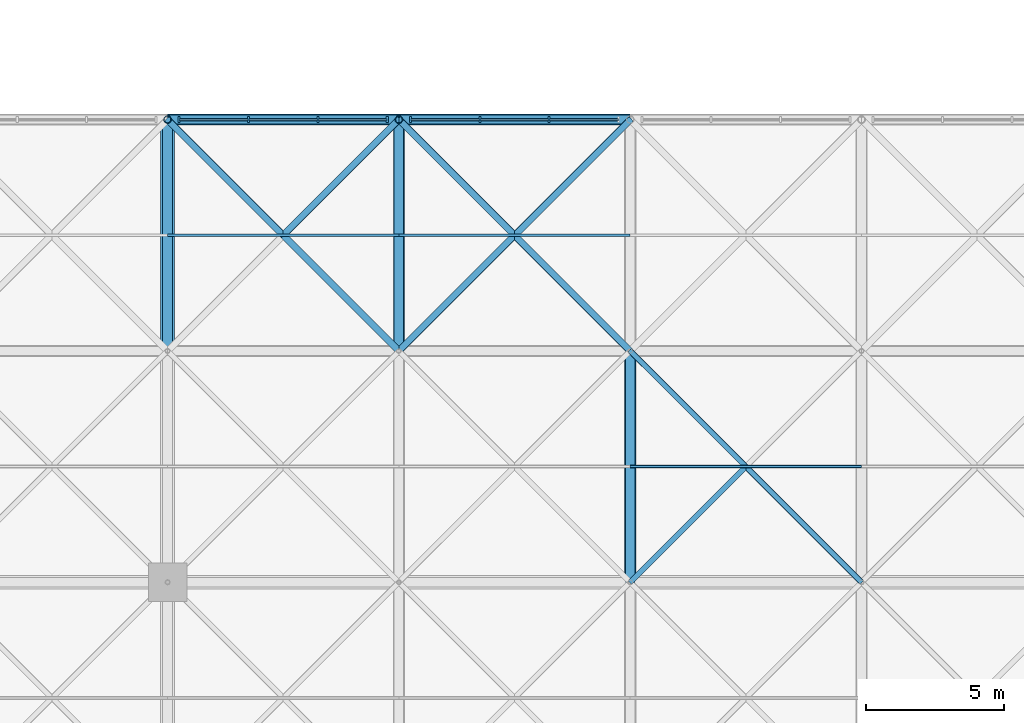
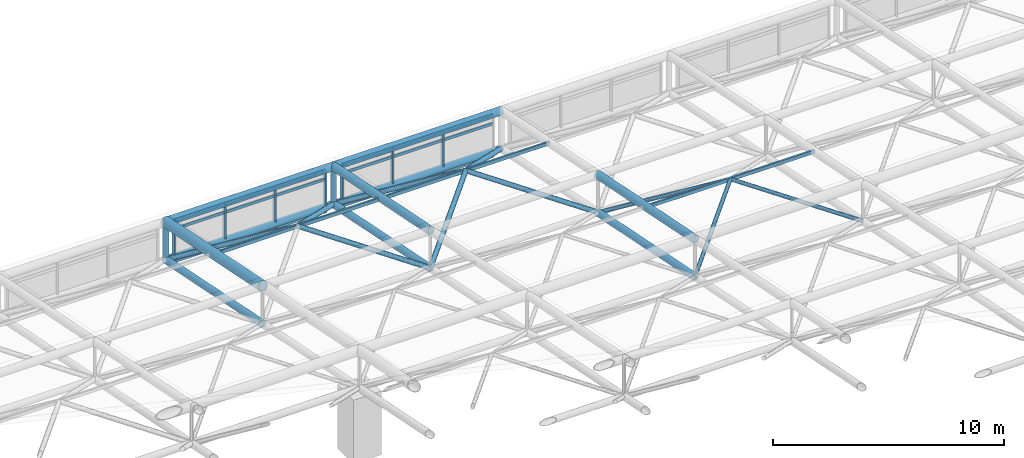
# One storey, part 55 of 110: 50 members, 2 elements without a shape of their own.
"""IFC4 building model written with IfcOpenShell, lengths in metres."""

from ifc_helpers import new_model, si_unit, direction, frame, origin, origin_2d, place, context, subcontext, project, spatial, rectangle, hollow_rectangle, hollow_circle, extrude, material, layer, layer_set, material_profile, profile_set, type_object, element, aggregate, save


model = new_model("IFC4")

# Units and contexts
model_context = context("Model", 3, precision=1e-05, world=origin(), true_north=direction((0.0, 1.0)))
body_context = subcontext(model_context, "Body", "Model", "MODEL_VIEW")
ifc_project = project(units=[si_unit("LENGTHUNIT", "METRE"), si_unit("AREAUNIT", "SQUARE_METRE"), si_unit("VOLUMEUNIT", "CUBIC_METRE"), si_unit("PLANEANGLEUNIT", "RADIAN"), si_unit("MASSUNIT", "GRAM", prefix="KILO")], contexts=[model_context])

# Site, building, storey
site_placement = place(None, origin())
site = spatial("IfcSite", under=ifc_project, at=site_placement, CompositionType="ELEMENT")
building_placement = place(site_placement, origin())
building = spatial("IfcBuilding", under=site, at=building_placement, Name="Qawsi Khor Wholesale Market", CompositionType="ELEMENT")
storey_placement = place(building_placement, frame((0.0, 0.0, 11.39990234375)))
storey = spatial("IfcBuildingStorey", under=building, at=storey_placement, Name="L02", CompositionType="ELEMENT", Elevation=11.39990234375)

# Curtain wall, members
ifc_material_1 = material(Name="Aluminium Anodised Bronze", Category="aluminium")
ifc_layer = layer(ifc_material_1, 0.199951171875, Name="Aluminium Anodised Bronze")
ifc_layer_set = layer_set([ifc_layer], Name="Aluminium Anodised Bronze")
curtain_wall_type = type_object("IfcCurtainWallType", Name="Trading Hall North-Light Curtain Wall CW-03", PredefinedType="NOTDEFINED", material=ifc_layer_set)
curtain_wall_1_placement = place(storey_placement, origin())
curtain_wall_1 = element("IfcCurtainWall", 1, at=curtain_wall_1_placement, inside=storey, type_object=curtain_wall_type, Name="Curtain wall CW-CW-03-L02-147", PredefinedType="NOTDEFINED")
ifc_material_profile_1 = material_profile(ifc_material_1, rectangle(XDim=0.074951171875, YDim=0.219970703125, at=origin_2d()), Name="ALU MULLION 75x220")
ifc_profile_set_1 = profile_set([ifc_material_profile_1], Name="Aluminium Anodised Bronze")
member_type_1 = type_object("IfcMemberType", Name="Curtain Wall Mullion CW-03 ALU MULLION 75x220", PredefinedType="MULLION", material=ifc_profile_set_1)
member_1_placement = place(storey_placement, frame((160.0224609375, 109.199951171875, -0.289794921875), z_axis=(0.0, 0.0, 1.0), x_axis=(1.0, 0.0, 0.0)))
member_1 = element("IfcMember", 2, at=member_1_placement, type_object=member_type_1, Name="Mullion CW-CW-03-L02-147-M00", PredefinedType="MULLION", context=body_context, shape_type="SweptSolid", body=[
    extrude(rectangle(XDim=0.074951171875, YDim=0.219970703125, at=origin_2d()), origin(), (0.0, 0.0, 1.0), 2.18994140625),
])
member_2_placement = place(storey_placement, frame((162.540771484375, 109.199951171875, -0.289794921875), z_axis=(0.0, 0.0, 1.0), x_axis=(1.0, 0.0, 0.0)))
member_2 = element("IfcMember", 3, at=member_2_placement, type_object=member_type_1, Name="Mullion CW-CW-03-L02-147-M01", PredefinedType="MULLION", context=body_context, shape_type="SweptSolid", body=[
    extrude(rectangle(XDim=0.074951171875, YDim=0.219970703125, at=origin_2d()), origin(), (0.0, 0.0, 1.0), 2.18994140625),
])
member_3_placement = place(storey_placement, frame((165.05908203125, 109.199951171875, -0.289794921875), z_axis=(0.0, 0.0, 1.0), x_axis=(1.0, 0.0, 0.0)))
member_3 = element("IfcMember", 4, at=member_3_placement, type_object=member_type_1, Name="Mullion CW-CW-03-L02-147-M02", PredefinedType="MULLION", context=body_context, shape_type="SweptSolid", body=[
    extrude(rectangle(XDim=0.074951171875, YDim=0.219970703125, at=origin_2d()), origin(), (0.0, 0.0, 1.0), 2.18994140625),
])
member_4_placement = place(storey_placement, frame((167.577392578125, 109.199951171875, -0.289794921875), z_axis=(0.0, 0.0, 1.0), x_axis=(1.0, 0.0, 0.0)))
member_4 = element("IfcMember", 5, at=member_4_placement, type_object=member_type_1, Name="Mullion CW-CW-03-L02-147-M03", PredefinedType="MULLION", context=body_context, shape_type="SweptSolid", body=[
    extrude(rectangle(XDim=0.074951171875, YDim=0.219970703125, at=origin_2d()), origin(), (0.0, 0.0, 1.0), 2.18994140625),
])

curtain_wall_2_placement = place(storey_placement, origin())
curtain_wall_2 = element("IfcCurtainWall", 6, at=curtain_wall_2_placement, inside=storey, type_object=curtain_wall_type, Name="Curtain wall CW-CW-03-L02-148", PredefinedType="NOTDEFINED")
member_5_placement = place(storey_placement, frame((168.422607421875, 109.199951171875, -0.289794921875), z_axis=(0.0, 0.0, 1.0), x_axis=(1.0, 0.0, 0.0)))
member_5 = element("IfcMember", 7, at=member_5_placement, type_object=member_type_1, Name="Mullion CW-CW-03-L02-148-M00", PredefinedType="MULLION", context=body_context, shape_type="SweptSolid", body=[
    extrude(rectangle(XDim=0.074951171875, YDim=0.219970703125, at=origin_2d()), origin(), (0.0, 0.0, 1.0), 2.18994140625),
])
member_6_placement = place(storey_placement, frame((170.94091796875, 109.199951171875, -0.289794921875), z_axis=(0.0, 0.0, 1.0), x_axis=(1.0, 0.0, 0.0)))
member_6 = element("IfcMember", 8, at=member_6_placement, type_object=member_type_1, Name="Mullion CW-CW-03-L02-148-M01", PredefinedType="MULLION", context=body_context, shape_type="SweptSolid", body=[
    extrude(rectangle(XDim=0.074951171875, YDim=0.219970703125, at=origin_2d()), origin(), (0.0, 0.0, 1.0), 2.18994140625),
])
member_7_placement = place(storey_placement, frame((173.459228515625, 109.199951171875, -0.289794921875), z_axis=(0.0, 0.0, 1.0), x_axis=(1.0, 0.0, 0.0)))
member_7 = element("IfcMember", 9, at=member_7_placement, type_object=member_type_1, Name="Mullion CW-CW-03-L02-148-M02", PredefinedType="MULLION", context=body_context, shape_type="SweptSolid", body=[
    extrude(rectangle(XDim=0.074951171875, YDim=0.219970703125, at=origin_2d()), origin(), (0.0, 0.0, 1.0), 2.18994140625),
])

# Member
ifc_material_profile_2 = material_profile(ifc_material_1, rectangle(XDim=0.070068359375, YDim=0.14990234375, at=origin_2d()), Name="ALU TRANSOM 70x150")
ifc_profile_set_2 = profile_set([ifc_material_profile_2], Name="Aluminium Anodised Bronze")
member_type_2 = type_object("IfcMemberType", Name="Curtain Wall Transom CW-03 ALU TRANSOM 70x150", PredefinedType="USERDEFINED", material=ifc_profile_set_2)
member_8_placement = place(storey_placement, frame((160.0224609375, 109.199951171875, -0.27001953125), z_axis=(1.0, 0.0, 0.0), x_axis=(0.0, 1.0, 0.0)))
member_8 = element("IfcMember", 10, at=member_8_placement, type_object=member_type_2, Name="Transom CW-CW-03-L02-147-T0_00", ObjectType="TRANSOM", PredefinedType="USERDEFINED", context=body_context, shape_type="SweptSolid", body=[
    extrude(rectangle(XDim=0.070068359375, YDim=0.14990234375, at=origin_2d()), origin(), (0.0, 0.0, 1.0), 2.518310546875),
])

member_9_placement = place(storey_placement, frame((162.540771484375, 109.199951171875, -0.27001953125), z_axis=(1.0, 0.0, 0.0), x_axis=(0.0, 1.0, 0.0)))
member_9 = element("IfcMember", 11, at=member_9_placement, type_object=member_type_2, Name="Transom CW-CW-03-L02-147-T0_01", ObjectType="TRANSOM", PredefinedType="USERDEFINED", context=body_context, shape_type="SweptSolid", body=[
    extrude(rectangle(XDim=0.070068359375, YDim=0.14990234375, at=origin_2d()), origin(), (0.0, 0.0, 1.0), 2.518310546875),
])

member_10_placement = place(storey_placement, frame((165.05908203125, 109.199951171875, -0.27001953125), z_axis=(1.0, 0.0, 0.0), x_axis=(0.0, 1.0, 0.0)))
member_10 = element("IfcMember", 12, at=member_10_placement, type_object=member_type_2, Name="Transom CW-CW-03-L02-147-T0_02", ObjectType="TRANSOM", PredefinedType="USERDEFINED", context=body_context, shape_type="SweptSolid", body=[
    extrude(rectangle(XDim=0.070068359375, YDim=0.14990234375, at=origin_2d()), origin(), (0.0, 0.0, 1.0), 2.518310546875),
])

member_11_placement = place(storey_placement, frame((160.0224609375, 109.199951171875, 1.4501953125), z_axis=(1.0, 0.0, 0.0), x_axis=(0.0, 1.0, 0.0)))
member_11 = element("IfcMember", 13, at=member_11_placement, type_object=member_type_2, Name="Transom CW-CW-03-L02-147-T1_00", ObjectType="TRANSOM", PredefinedType="USERDEFINED", context=body_context, shape_type="SweptSolid", body=[
    extrude(rectangle(XDim=0.070068359375, YDim=0.14990234375, at=origin_2d()), origin(), (0.0, 0.0, 1.0), 2.518310546875),
])

member_12_placement = place(storey_placement, frame((162.540771484375, 109.199951171875, 1.4501953125), z_axis=(1.0, 0.0, 0.0), x_axis=(0.0, 1.0, 0.0)))
member_12 = element("IfcMember", 14, at=member_12_placement, type_object=member_type_2, Name="Transom CW-CW-03-L02-147-T1_01", ObjectType="TRANSOM", PredefinedType="USERDEFINED", context=body_context, shape_type="SweptSolid", body=[
    extrude(rectangle(XDim=0.070068359375, YDim=0.14990234375, at=origin_2d()), origin(), (0.0, 0.0, 1.0), 2.518310546875),
])

member_13_placement = place(storey_placement, frame((165.05908203125, 109.199951171875, 1.4501953125), z_axis=(1.0, 0.0, 0.0), x_axis=(0.0, 1.0, 0.0)))
member_13 = element("IfcMember", 15, at=member_13_placement, type_object=member_type_2, Name="Transom CW-CW-03-L02-147-T1_02", ObjectType="TRANSOM", PredefinedType="USERDEFINED", context=body_context, shape_type="SweptSolid", body=[
    extrude(rectangle(XDim=0.070068359375, YDim=0.14990234375, at=origin_2d()), origin(), (0.0, 0.0, 1.0), 2.518310546875),
])

member_14_placement = place(storey_placement, frame((160.0224609375, 109.199951171875, 1.900146484375), z_axis=(1.0, 0.0, 0.0), x_axis=(0.0, 1.0, 0.0)))
member_14 = element("IfcMember", 16, at=member_14_placement, type_object=member_type_2, Name="Transom CW-CW-03-L02-147-T2_00", ObjectType="TRANSOM", PredefinedType="USERDEFINED", context=body_context, shape_type="SweptSolid", body=[
    extrude(rectangle(XDim=0.070068359375, YDim=0.14990234375, at=origin_2d()), origin(), (0.0, 0.0, 1.0), 2.518310546875),
])

member_15_placement = place(storey_placement, frame((162.540771484375, 109.199951171875, 1.900146484375), z_axis=(1.0, 0.0, 0.0), x_axis=(0.0, 1.0, 0.0)))
member_15 = element("IfcMember", 17, at=member_15_placement, type_object=member_type_2, Name="Transom CW-CW-03-L02-147-T2_01", ObjectType="TRANSOM", PredefinedType="USERDEFINED", context=body_context, shape_type="SweptSolid", body=[
    extrude(rectangle(XDim=0.070068359375, YDim=0.14990234375, at=origin_2d()), origin(), (0.0, 0.0, 1.0), 2.518310546875),
])

member_16_placement = place(storey_placement, frame((165.05908203125, 109.199951171875, 1.900146484375), z_axis=(1.0, 0.0, 0.0), x_axis=(0.0, 1.0, 0.0)))
member_16 = element("IfcMember", 18, at=member_16_placement, type_object=member_type_2, Name="Transom CW-CW-03-L02-147-T2_02", ObjectType="TRANSOM", PredefinedType="USERDEFINED", context=body_context, shape_type="SweptSolid", body=[
    extrude(rectangle(XDim=0.070068359375, YDim=0.14990234375, at=origin_2d()), origin(), (0.0, 0.0, 1.0), 2.518310546875),
])

aggregate(curtain_wall_1, [member_1, member_2, member_3, member_4, member_8, member_9, member_10, member_11, member_12, member_13, member_14, member_15, member_16])

member_17_placement = place(storey_placement, frame((168.422607421875, 109.199951171875, -0.27001953125), z_axis=(1.0, 0.0, 0.0), x_axis=(0.0, 1.0, 0.0)))
member_17 = element("IfcMember", 19, at=member_17_placement, type_object=member_type_2, Name="Transom CW-CW-03-L02-148-T0_00", ObjectType="TRANSOM", PredefinedType="USERDEFINED", context=body_context, shape_type="SweptSolid", body=[
    extrude(rectangle(XDim=0.070068359375, YDim=0.14990234375, at=origin_2d()), origin(), (0.0, 0.0, 1.0), 2.518310546875),
])

member_18_placement = place(storey_placement, frame((170.94091796875, 109.199951171875, -0.27001953125), z_axis=(1.0, 0.0, 0.0), x_axis=(0.0, 1.0, 0.0)))
member_18 = element("IfcMember", 20, at=member_18_placement, type_object=member_type_2, Name="Transom CW-CW-03-L02-148-T0_01", ObjectType="TRANSOM", PredefinedType="USERDEFINED", context=body_context, shape_type="SweptSolid", body=[
    extrude(rectangle(XDim=0.070068359375, YDim=0.14990234375, at=origin_2d()), origin(), (0.0, 0.0, 1.0), 2.518310546875),
])

member_19_placement = place(storey_placement, frame((173.459228515625, 109.199951171875, -0.27001953125), z_axis=(1.0, 0.0, 0.0), x_axis=(0.0, 1.0, 0.0)))
member_19 = element("IfcMember", 21, at=member_19_placement, type_object=member_type_2, Name="Transom CW-CW-03-L02-148-T0_02", ObjectType="TRANSOM", PredefinedType="USERDEFINED", context=body_context, shape_type="SweptSolid", body=[
    extrude(rectangle(XDim=0.070068359375, YDim=0.14990234375, at=origin_2d()), origin(), (0.0, 0.0, 1.0), 2.518310546875),
])

member_20_placement = place(storey_placement, frame((168.422607421875, 109.199951171875, 1.4501953125), z_axis=(1.0, 0.0, 0.0), x_axis=(0.0, 1.0, 0.0)))
member_20 = element("IfcMember", 22, at=member_20_placement, type_object=member_type_2, Name="Transom CW-CW-03-L02-148-T1_00", ObjectType="TRANSOM", PredefinedType="USERDEFINED", context=body_context, shape_type="SweptSolid", body=[
    extrude(rectangle(XDim=0.070068359375, YDim=0.14990234375, at=origin_2d()), origin(), (0.0, 0.0, 1.0), 2.518310546875),
])

member_21_placement = place(storey_placement, frame((170.94091796875, 109.199951171875, 1.4501953125), z_axis=(1.0, 0.0, 0.0), x_axis=(0.0, 1.0, 0.0)))
member_21 = element("IfcMember", 23, at=member_21_placement, type_object=member_type_2, Name="Transom CW-CW-03-L02-148-T1_01", ObjectType="TRANSOM", PredefinedType="USERDEFINED", context=body_context, shape_type="SweptSolid", body=[
    extrude(rectangle(XDim=0.070068359375, YDim=0.14990234375, at=origin_2d()), origin(), (0.0, 0.0, 1.0), 2.518310546875),
])

member_22_placement = place(storey_placement, frame((173.459228515625, 109.199951171875, 1.4501953125), z_axis=(1.0, 0.0, 0.0), x_axis=(0.0, 1.0, 0.0)))
member_22 = element("IfcMember", 24, at=member_22_placement, type_object=member_type_2, Name="Transom CW-CW-03-L02-148-T1_02", ObjectType="TRANSOM", PredefinedType="USERDEFINED", context=body_context, shape_type="SweptSolid", body=[
    extrude(rectangle(XDim=0.070068359375, YDim=0.14990234375, at=origin_2d()), origin(), (0.0, 0.0, 1.0), 2.518310546875),
])

member_23_placement = place(storey_placement, frame((168.422607421875, 109.199951171875, 1.900146484375), z_axis=(1.0, 0.0, 0.0), x_axis=(0.0, 1.0, 0.0)))
member_23 = element("IfcMember", 25, at=member_23_placement, type_object=member_type_2, Name="Transom CW-CW-03-L02-148-T2_00", ObjectType="TRANSOM", PredefinedType="USERDEFINED", context=body_context, shape_type="SweptSolid", body=[
    extrude(rectangle(XDim=0.070068359375, YDim=0.14990234375, at=origin_2d()), origin(), (0.0, 0.0, 1.0), 2.518310546875),
])

member_24_placement = place(storey_placement, frame((170.94091796875, 109.199951171875, 1.900146484375), z_axis=(1.0, 0.0, 0.0), x_axis=(0.0, 1.0, 0.0)))
member_24 = element("IfcMember", 26, at=member_24_placement, type_object=member_type_2, Name="Transom CW-CW-03-L02-148-T2_01", ObjectType="TRANSOM", PredefinedType="USERDEFINED", context=body_context, shape_type="SweptSolid", body=[
    extrude(rectangle(XDim=0.070068359375, YDim=0.14990234375, at=origin_2d()), origin(), (0.0, 0.0, 1.0), 2.518310546875),
])

member_25_placement = place(storey_placement, frame((173.459228515625, 109.199951171875, 1.900146484375), z_axis=(1.0, 0.0, 0.0), x_axis=(0.0, 1.0, 0.0)))
member_25 = element("IfcMember", 27, at=member_25_placement, type_object=member_type_2, Name="Transom CW-CW-03-L02-148-T2_02", ObjectType="TRANSOM", PredefinedType="USERDEFINED", context=body_context, shape_type="SweptSolid", body=[
    extrude(rectangle(XDim=0.070068359375, YDim=0.14990234375, at=origin_2d()), origin(), (0.0, 0.0, 1.0), 2.518310546875),
])

aggregate(curtain_wall_2, [member_5, member_6, member_7, member_17, member_18, member_19, member_20, member_21, member_22, member_23, member_24, member_25])

# Members
ifc_material_2 = material(Name="Steel S355", Category="steel")
ifc_material_profile_3 = material_profile(ifc_material_2, hollow_circle(Radius=0.177734375, WallThickness=0.01611328125, at=origin_2d()), Name="CHS 355.6x16.0")
ifc_profile_set_3 = profile_set([ifc_material_profile_3], Name="Steel S355")
member_type_3 = type_object("IfcMemberType", Name="Space-Frame Bottom Chord CHS 355.6x16.0", PredefinedType="CHORD", material=ifc_profile_set_3)
for number, where, z_axis, x_axis, name in (
    (28, (159.60009765625, 100.800048828125, 1.670166015625), (0.0, 0.980129990483, -0.1983562496), (-1.0, 0.0, 0.0), "Space frame bottom chord Y EH (19,12)"),
    (29, (168.0, 100.800048828125, 1.670166015625), (0.0, 0.980129990483, -0.1983562496), (-1.0, 0.0, 0.0), "Space frame bottom chord Y EH (20,12)"),
    (30, (176.39990234375, 92.39990234375, 3.3701171875), (0.0, 0.98013111127, -0.198350711418), (-1.0, 0.0, 0.0), "Space frame bottom chord Y EH (21,11)"),
):
    element("IfcMember", number, at=place(storey_placement, frame(where, z_axis=z_axis, x_axis=x_axis)), inside=storey, type_object=member_type_3, Name=name, PredefinedType="CHORD", context=body_context, shape_type="SweptSolid", body=[
        extrude(hollow_circle(Radius=0.177734375, WallThickness=0.01611328125, at=origin_2d()), origin(), (0.0, 0.0, 1.0), 8.5703125),
    ])
ifc_material_profile_4 = material_profile(ifc_material_2, hollow_circle(Radius=0.136474609375, WallThickness=0.012451171875, at=origin_2d()), Name="CHS 273.0x12.5")
ifc_profile_set_4 = profile_set([ifc_material_profile_4], Name="Steel S355")
member_type_4 = type_object("IfcMemberType", Name="Space-Frame Edge Post CHS 273.0x12.5", PredefinedType="POST", material=ifc_profile_set_4)
for number, where, z_axis, x_axis, name in (
    (31, (159.60009765625, 109.199951171875, -0.02978515625), (0.0, 0.0, 1.0), (1.0, 0.0, 0.0), "Space frame post EH (19,13)"),
    (32, (168.0, 109.199951171875, -0.02978515625), (0.0, 0.0, 1.0), (1.0, 0.0, 0.0), "Space frame post EH (20,13)"),
):
    element("IfcMember", number, at=place(storey_placement, frame(where, z_axis=z_axis, x_axis=x_axis)), inside=storey, type_object=member_type_4, Name=name, PredefinedType="POST", context=body_context, shape_type="SweptSolid", body=[
        extrude(hollow_circle(Radius=0.136474609375, WallThickness=0.012451171875, at=origin_2d()), origin(), (0.0, 0.0, 1.0), 2.0),
    ])
ifc_material_profile_5 = material_profile(ifc_material_2, hollow_circle(Radius=0.122314453125, WallThickness=0.012451171875, at=origin_2d()), Name="CHS 244.5x12.5")
ifc_profile_set_5 = profile_set([ifc_material_profile_5], Name="Steel S355")
member_type_5 = type_object("IfcMemberType", Name="Space-Frame Heavy Diagonal CHS 244.5x12.5", PredefinedType="POST", material=ifc_profile_set_5)
member_26_placement = place(storey_placement, frame((168.0, 100.800048828125, 1.670166015625), z_axis=(-0.694216714393, 0.694216714393, 0.190069216113), x_axis=(-0.707106781187, -0.707106781187, 0.0)))
element("IfcMember", 33, at=member_26_placement, inside=storey, type_object=member_type_5, Name="Space frame diagonal EH (19,12)-2", PredefinedType="POST", context=body_context, shape_type="SweptSolid", body=[
    extrude(hollow_circle(Radius=0.122314453125, WallThickness=0.012451171875, at=origin_2d()), origin(), (0.0, 0.0, 1.0), 6.0498046875),
])
for number, where, z_axis, x_axis, name in (
    (34, (168.0, 109.199951171875, -0.02978515625), (-0.637521961484, -0.637521961484, 0.432586982294), (0.707106781187, -0.707106781187, 0.0), "Space frame diagonal EH (19,12)-3"),
    (35, (159.60009765625, 109.199951171875, -0.02978515625), (0.637521961484, -0.637521961484, 0.432586982294), (0.707106781187, 0.707106781187, 0.0), "Space frame diagonal EH (19,12)-4"),
):
    element("IfcMember", number, at=place(storey_placement, frame(where, z_axis=z_axis, x_axis=x_axis)), inside=storey, type_object=member_type_5, Name=name, PredefinedType="POST", context=body_context, shape_type="SweptSolid", body=[
        extrude(hollow_circle(Radius=0.122314453125, WallThickness=0.012451171875, at=origin_2d()), origin(), (0.0, 0.0, 1.0), 6.587890625),
    ])
for number, where, z_axis, x_axis, name in (
    (36, (168.0, 100.800048828125, 1.670166015625), (0.694216714393, 0.694216714393, 0.190069216113), (-0.707106781187, 0.707106781187, 0.0), "Space frame diagonal EH (20,12)-1"),
    (37, (176.39990234375, 100.800048828125, 1.670166015625), (-0.694216714393, 0.694216714393, 0.190069216113), (-0.707106781187, -0.707106781187, 0.0), "Space frame diagonal EH (20,12)-2"),
):
    element("IfcMember", number, at=place(storey_placement, frame(where, z_axis=z_axis, x_axis=x_axis)), inside=storey, type_object=member_type_5, Name=name, PredefinedType="POST", context=body_context, shape_type="SweptSolid", body=[
        extrude(hollow_circle(Radius=0.122314453125, WallThickness=0.012451171875, at=origin_2d()), origin(), (0.0, 0.0, 1.0), 6.0498046875),
    ])
for number, where, z_axis, x_axis, name in (
    (38, (176.39990234375, 109.199951171875, -0.02978515625), (-0.637521961484, -0.637521961484, 0.432586982294), (0.707106781187, -0.707106781187, 0.0), "Space frame diagonal EH (20,12)-3"),
    (39, (168.0, 109.199951171875, -0.02978515625), (0.637521961484, -0.637521961484, 0.432586982294), (0.707106781187, 0.707106781187, 0.0), "Space frame diagonal EH (20,12)-4"),
):
    element("IfcMember", number, at=place(storey_placement, frame(where, z_axis=z_axis, x_axis=x_axis)), inside=storey, type_object=member_type_5, Name=name, PredefinedType="POST", context=body_context, shape_type="SweptSolid", body=[
        extrude(hollow_circle(Radius=0.122314453125, WallThickness=0.012451171875, at=origin_2d()), origin(), (0.0, 0.0, 1.0), 6.587890625),
    ])
ifc_material_profile_6 = material_profile(ifc_material_2, hollow_circle(Radius=0.25390625, WallThickness=0.02490234375, at=origin_2d()), Name="CHS 508.0x25.0")
ifc_profile_set_6 = profile_set([ifc_material_profile_6], Name="Steel S355")
member_type_6 = type_object("IfcMemberType", Name="Space-Frame Main Chord CHS 508.0x25.0", PredefinedType="CHORD", material=ifc_profile_set_6)
member_27_placement = place(storey_placement, frame((159.60009765625, 100.800048828125, 3.670166015625), z_axis=(0.0, 0.980129990483, -0.1983562496), x_axis=(-1.0, 0.0, 0.0)))
element("IfcMember", 40, at=member_27_placement, inside=storey, type_object=member_type_6, Name="Space frame top chord Y EH (19,12)", PredefinedType="CHORD", context=body_context, shape_type="SweptSolid", body=[
    extrude(hollow_circle(Radius=0.25390625, WallThickness=0.02490234375, at=origin_2d()), origin(), (0.0, 0.0, 1.0), 8.5703125),
])
ifc_material_profile_7 = material_profile(ifc_material_2, hollow_rectangle(XDim=0.10009765625, YDim=0.199951171875, WallThickness=0.008056640625, InnerFilletRadius=0.008056640625, OuterFilletRadius=0.01611328125, at=origin_2d()), Name="RHS 200x100x8.0")
ifc_profile_set_7 = profile_set([ifc_material_profile_7], Name="Steel S355")
member_type_7 = type_object("IfcMemberType", Name="Space-Frame Purlin RHS 200x100x8.0", PredefinedType="PURLIN", material=ifc_profile_set_7)
for number, where, z_axis, x_axis, name in (
    (41, (159.60009765625, 105.0, 2.820068359375), (1.0, 0.0, 0.0), (0.0, 1.0, 0.0), "Space frame purlin EH (19,12)"),
    (42, (168.0, 105.0, 2.820068359375), (1.0, 0.0, 0.0), (0.0, 1.0, 0.0), "Space frame purlin EH (20,12)"),
):
    element("IfcMember", number, at=place(storey_placement, frame(where, z_axis=z_axis, x_axis=x_axis)), inside=storey, type_object=member_type_7, Name=name, PredefinedType="PURLIN", context=body_context, shape_type="SweptSolid", body=[
        extrude(hollow_rectangle(XDim=0.10009765625, YDim=0.199951171875, WallThickness=0.008056640625, InnerFilletRadius=0.008056640625, OuterFilletRadius=0.01611328125, at=origin_2d()), origin(), (0.0, 0.0, 1.0), 8.39990234375),
    ])
member_28_placement = place(storey_placement, frame((176.39990234375, 96.60009765625, 4.52001953125), z_axis=(1.0, 0.0, 0.0), x_axis=(0.0, 1.0, 0.0)))
element("IfcMember", 43, at=member_28_placement, inside=storey, type_object=member_type_7, Name="Space frame purlin EH (21,11)", PredefinedType="PURLIN", context=body_context, shape_type="SweptSolid", body=[
    extrude(hollow_rectangle(XDim=0.10009765625, YDim=0.199951171875, WallThickness=0.008056640625, InnerFilletRadius=0.008056640625, OuterFilletRadius=0.01611328125, at=origin_2d()), origin(), (0.0, 0.0, 1.0), 8.400146484375),
])
ifc_material_profile_8 = material_profile(ifc_material_2, hollow_circle(Radius=0.161865234375, WallThickness=0.01611328125, at=origin_2d()), Name="CHS 323.9x16.0")
ifc_profile_set_8 = profile_set([ifc_material_profile_8], Name="Steel S355")
member_type_8 = type_object("IfcMemberType", Name="Space-Frame Secondary Chord CHS 323.9x16.0", PredefinedType="CHORD", material=ifc_profile_set_8)
for number, where, z_axis, x_axis, name in (
    (44, (159.60009765625, 109.199951171875, -0.02978515625), (1.0, 0.0, 0.0), (0.0, 1.0, 0.0), "Space frame bottom chord X EH (19,13)"),
    (45, (168.0, 109.199951171875, -0.02978515625), (1.0, 0.0, 0.0), (0.0, 1.0, 0.0), "Space frame bottom chord X EH (20,13)"),
):
    element("IfcMember", number, at=place(storey_placement, frame(where, z_axis=z_axis, x_axis=x_axis)), inside=storey, type_object=member_type_8, Name=name, PredefinedType="CHORD", context=body_context, shape_type="SweptSolid", body=[
        extrude(hollow_circle(Radius=0.161865234375, WallThickness=0.01611328125, at=origin_2d()), origin(), (0.0, 0.0, 1.0), 8.39990234375),
    ])
ifc_material_profile_9 = material_profile(ifc_material_2, hollow_circle(Radius=0.096923828125, WallThickness=0.008056640625, at=origin_2d()), Name="CHS 193.7x8.0")
ifc_profile_set_9 = profile_set([ifc_material_profile_9], Name="Steel S355")
member_type_9 = type_object("IfcMemberType", Name="Space-Frame Secondary Diagonal CHS 193.7x8.0", PredefinedType="RAFTER", material=ifc_profile_set_9)
member_29_placement = place(storey_placement, frame((176.39990234375, 92.39990234375, 3.3701171875), z_axis=(0.694218172126, 0.694218172126, 0.190058567235), x_axis=(-0.707106781187, 0.707106781187, 0.0)))
element("IfcMember", 46, at=member_29_placement, inside=storey, type_object=member_type_9, Name="Space frame diagonal EH (21,11)-1", PredefinedType="RAFTER", context=body_context, shape_type="SweptSolid", body=[
    extrude(hollow_circle(Radius=0.096923828125, WallThickness=0.008056640625, at=origin_2d()), origin(), (0.0, 0.0, 1.0), 6.05029296875),
])
member_30_placement = place(storey_placement, frame((184.800048828125, 92.39990234375, 3.3701171875), z_axis=(-0.694197266374, 0.694237619642, 0.19006389145), x_axis=(-0.707127332136, -0.70708622964, 0.0)))
element("IfcMember", 47, at=member_30_placement, inside=storey, type_object=member_type_9, Name="Space frame diagonal EH (21,11)-2", PredefinedType="RAFTER", context=body_context, shape_type="SweptSolid", body=[
    extrude(hollow_circle(Radius=0.096923828125, WallThickness=0.008056640625, at=origin_2d()), origin(), (0.0, 0.0, 1.0), 6.050048828125),
])
member_31_placement = place(storey_placement, frame((176.39990234375, 100.800048828125, 1.670166015625), z_axis=(0.637543957519, -0.637506899628, 0.432576762155), x_axis=(0.70708622964, 0.707127332136, 0.0)))
element("IfcMember", 48, at=member_31_placement, inside=storey, type_object=member_type_9, Name="Space frame diagonal EH (21,11)-4", PredefinedType="RAFTER", context=body_context, shape_type="SweptSolid", body=[
    extrude(hollow_circle(Radius=0.096923828125, WallThickness=0.008056640625, at=origin_2d()), origin(), (0.0, 0.0, 1.0), 6.588134765625),
])
ifc_material_profile_10 = material_profile(ifc_material_2, hollow_circle(Radius=0.203125, WallThickness=0.02001953125, at=origin_2d()), Name="CHS 406.4x20.0")
ifc_profile_set_10 = profile_set([ifc_material_profile_10], Name="Steel S355")
member_type_10 = type_object("IfcMemberType", Name="Space-Frame Top Chord CHS 406.4x20.0", PredefinedType="CHORD", material=ifc_profile_set_10)
member_32_placement = place(storey_placement, frame((159.60009765625, 109.199951171875, 1.97021484375), z_axis=(1.0, 0.0, 0.0), x_axis=(0.0, 1.0, 0.0)))
element("IfcMember", 49, at=member_32_placement, inside=storey, type_object=member_type_10, Name="Space frame top chord X EH (19,13)", PredefinedType="CHORD", context=body_context, shape_type="SweptSolid", body=[
    extrude(hollow_circle(Radius=0.203125, WallThickness=0.02001953125, at=origin_2d()), origin(), (0.0, 0.0, 1.0), 8.39990234375),
])
member_33_placement = place(storey_placement, frame((168.0, 100.800048828125, 3.670166015625), z_axis=(0.0, 0.980129990483, -0.1983562496), x_axis=(-1.0, 0.0, 0.0)))
element("IfcMember", 50, at=member_33_placement, inside=storey, type_object=member_type_10, Name="Space frame top chord Y EH (20,12)", PredefinedType="CHORD", context=body_context, shape_type="SweptSolid", body=[
    extrude(hollow_circle(Radius=0.203125, WallThickness=0.02001953125, at=origin_2d()), origin(), (0.0, 0.0, 1.0), 8.5703125),
])
member_34_placement = place(storey_placement, frame((168.0, 109.199951171875, 1.97021484375), z_axis=(1.0, 0.0, 0.0), x_axis=(0.0, 1.0, 0.0)))
element("IfcMember", 51, at=member_34_placement, inside=storey, type_object=member_type_10, Name="Space frame top chord X EH (20,13)", PredefinedType="CHORD", context=body_context, shape_type="SweptSolid", body=[
    extrude(hollow_circle(Radius=0.203125, WallThickness=0.02001953125, at=origin_2d()), origin(), (0.0, 0.0, 1.0), 8.39990234375),
])
member_35_placement = place(storey_placement, frame((176.39990234375, 92.39990234375, 5.3701171875), z_axis=(0.0, 0.98013111127, -0.198350711418), x_axis=(-1.0, 0.0, 0.0)))
element("IfcMember", 52, at=member_35_placement, inside=storey, type_object=member_type_10, Name="Space frame top chord Y EH (21,11)", PredefinedType="CHORD", context=body_context, shape_type="SweptSolid", body=[
    extrude(hollow_circle(Radius=0.203125, WallThickness=0.02001953125, at=origin_2d()), origin(), (0.0, 0.0, 1.0), 8.5703125),
])

save(model, "model.ifc")
